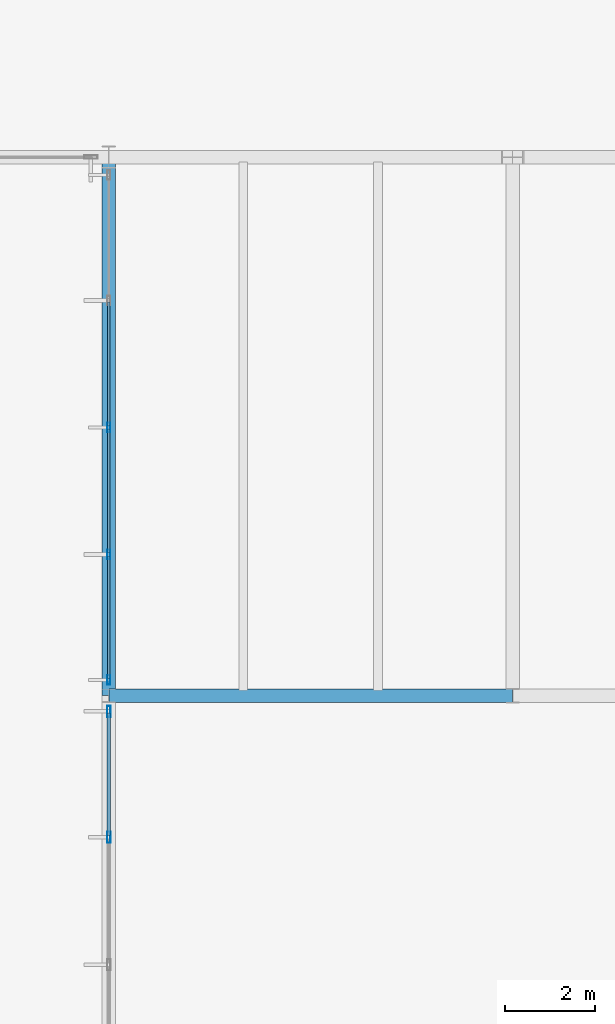
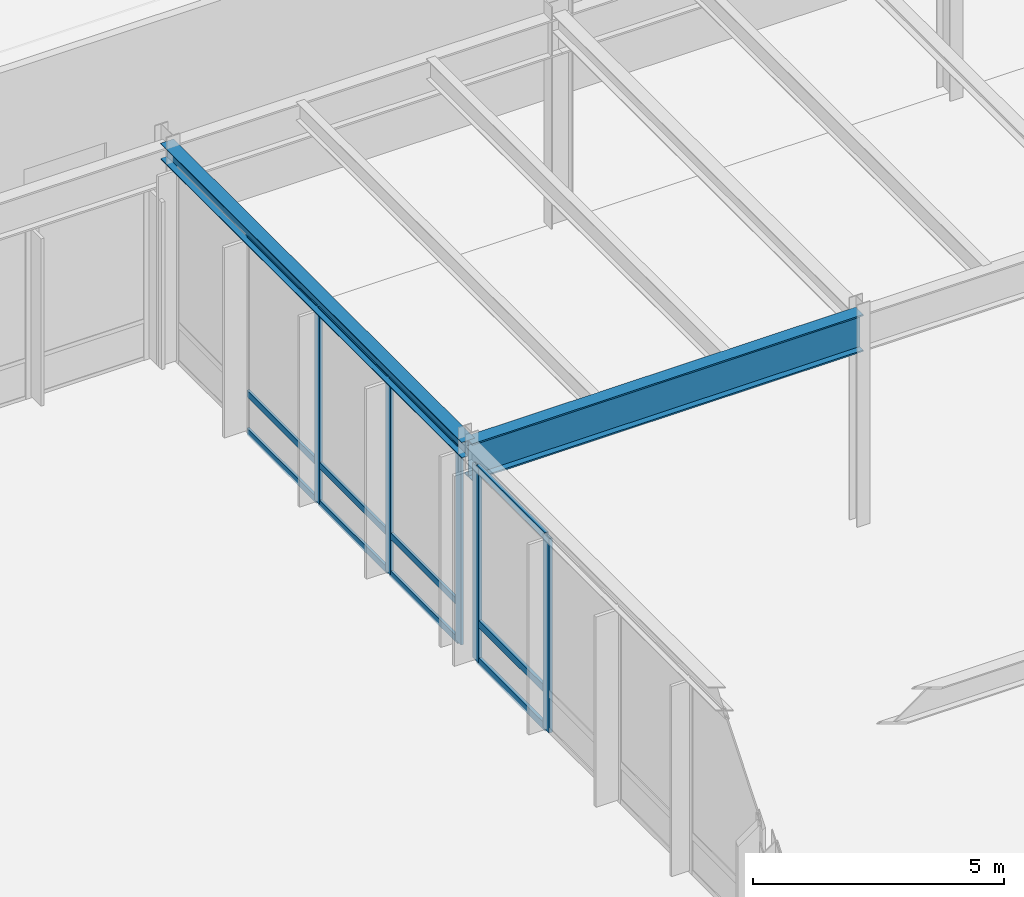
# One storey, part 59 of 143: 17 members, 2 beams, 2 elements without a shape of their own.
"""IFC4 building model written with IfcOpenShell, lengths in metres."""

from ifc_helpers import new_model, si_unit, direction, frame, origin, origin_2d, place, context, subcontext, project, spatial, hollow_rectangle, i_section, extrude, material, layer, layer_set, material_profile, profile_set, type_object, element, aggregate, save


model = new_model("IFC4")

# Units and contexts
model_context = context("Model", 3, precision=1e-05, world=origin(), true_north=direction((0.0, 1.0)))
body_context = subcontext(model_context, "Body", "Model", "MODEL_VIEW")
ifc_project = project(units=[si_unit("LENGTHUNIT", "METRE"), si_unit("AREAUNIT", "SQUARE_METRE"), si_unit("VOLUMEUNIT", "CUBIC_METRE"), si_unit("PLANEANGLEUNIT", "RADIAN"), si_unit("MASSUNIT", "GRAM", prefix="KILO")], contexts=[model_context])

# Site, building, storey
site_placement = place(None, origin())
site = spatial("IfcSite", under=ifc_project, at=site_placement, CompositionType="ELEMENT")
building_placement = place(site_placement, origin())
building = spatial("IfcBuilding", under=site, at=building_placement, Name="Montelvaro Courts of Justice", CompositionType="ELEMENT")
storey_placement = place(building_placement, origin())
storey = spatial("IfcBuildingStorey", under=building, at=storey_placement, Name="L00", CompositionType="ELEMENT", Elevation=0.0)

# Beams
ifc_material_1 = material(Name="Steel S355", Category="steel")
ifc_material_profile_1 = material_profile(ifc_material_1, i_section(OverallWidth=0.300048828125, OverallDepth=0.389892578125, WebThickness=0.010986328125, FlangeThickness=0.01904296875, at=origin_2d()), Name="HEA 400")
ifc_profile_set_1 = profile_set([ifc_material_profile_1], Name="Steel S355")
beam_type_1 = type_object("IfcBeamType", Name="Beam_HEA400", PredefinedType="USERDEFINED", material=ifc_profile_set_1)
beam_1_placement = place(storey_placement, frame((54.0, 66.0, 4.925048828125), z_axis=(0.0, 1.0, 0.0), x_axis=(-1.0, 0.0, 0.0)))
element("IfcBeam", 1, at=beam_1_placement, inside=storey, type_object=beam_type_1, Name="Beam B-17 L00", ObjectType="GIRDER", PredefinedType="USERDEFINED", context=body_context, shape_type="SweptSolid", body=[
    extrude(i_section(OverallWidth=0.300048828125, OverallDepth=0.389892578125, WebThickness=0.010986328125, FlangeThickness=0.01904296875, at=origin_2d()), origin(), (0.0, 0.0, 1.0), 12.0),
])
ifc_material_profile_2 = material_profile(ifc_material_1, i_section(OverallWidth=0.300048828125, OverallDepth=0.89990234375, WebThickness=0.0185546875, FlangeThickness=0.034912109375, at=origin_2d()), Name="HEB 900")
ifc_profile_set_2 = profile_set([ifc_material_profile_2], Name="Steel S355")
beam_type_2 = type_object("IfcBeamType", Name="Beam_HEB900", PredefinedType="USERDEFINED", material=ifc_profile_set_2)
beam_2_placement = place(storey_placement, frame((54.0, 66.0, 4.669921875), z_axis=(1.0, 0.0, 0.0), x_axis=(0.0, 1.0, 0.0)))
element("IfcBeam", 2, at=beam_2_placement, inside=storey, type_object=beam_type_2, Name="Beam B-30 L00", ObjectType="GIRDER", PredefinedType="USERDEFINED", context=body_context, shape_type="SweptSolid", body=[
    extrude(i_section(OverallWidth=0.300048828125, OverallDepth=0.89990234375, WebThickness=0.0185546875, FlangeThickness=0.034912109375, at=origin_2d()), origin(), (0.0, 0.0, 1.0), 9.0),
])

# Curtain wall, members
ifc_material_2 = material(Name="Anodised aluminium EN AW-6063", Category="aluminium")
ifc_layer_1 = layer(ifc_material_2, 0.159912109375)
ifc_layer_set_1 = layer_set([ifc_layer_1], Name="Anodised aluminium EN AW-6063")
curtain_wall_type_1 = type_object("IfcCurtainWallType", Name="CurtainWall_03_1132x508", PredefinedType="USERDEFINED", material=ifc_layer_set_1)
curtain_wall_1_placement = place(storey_placement, origin())
curtain_wall_1 = element("IfcCurtainWall", 3, at=curtain_wall_1_placement, inside=storey, type_object=curtain_wall_type_1, Name="Curtain Wall CW-03 (L00)", ObjectType="CURTAIN WALL", PredefinedType="USERDEFINED")
ifc_material_profile_3 = material_profile(ifc_material_2, hollow_rectangle(XDim=0.06494140625, YDim=0.2099609375, WallThickness=0.0048828125, at=origin_2d()), Name="ALU-M 65x210")
ifc_profile_set_3 = profile_set([ifc_material_profile_3], Name="Anodised aluminium EN AW-6063")
member_type_1 = type_object("IfcMemberType", Name="CurtainWall_Mullion_65x210", PredefinedType="MULLION", material=ifc_profile_set_3)
member_1_placement = place(storey_placement, frame((54.0, 71.97509765625, 0.0), z_axis=(0.0, 0.0, 1.0), x_axis=(1.0, 0.0, 0.0)))
member_1 = element("IfcMember", 4, at=member_1_placement, type_object=member_type_1, Name="CW-03 mullion 3", PredefinedType="MULLION", context=body_context, shape_type="SweptSolid", body=[
    extrude(hollow_rectangle(XDim=0.06494140625, YDim=0.2099609375, WallThickness=0.0048828125, at=origin_2d()), origin(), (0.0, 0.0, 1.0), 4.72509765625),
])
member_2_placement = place(storey_placement, frame((54.0, 69.14501953125, 0.0), z_axis=(0.0, 0.0, 1.0), x_axis=(1.0, 0.0, 0.0)))
member_2 = element("IfcMember", 5, at=member_2_placement, type_object=member_type_1, Name="CW-03 mullion 4", PredefinedType="MULLION", context=body_context, shape_type="SweptSolid", body=[
    extrude(hollow_rectangle(XDim=0.06494140625, YDim=0.2099609375, WallThickness=0.0048828125, at=origin_2d()), origin(), (0.0, 0.0, 1.0), 4.72509765625),
])
member_3_placement = place(storey_placement, frame((54.0, 66.347412109375, 0.0), z_axis=(0.0, 0.0, 1.0), x_axis=(1.0, 0.0, 0.0)))
member_3 = element("IfcMember", 6, at=member_3_placement, type_object=member_type_1, Name="CW-03 mullion 5", PredefinedType="MULLION", context=body_context, shape_type="SweptSolid", body=[
    extrude(hollow_rectangle(XDim=0.06494140625, YDim=0.2099609375, WallThickness=0.0048828125, at=origin_2d()), origin(), (0.0, 0.0, 1.0), 4.72509765625),
])

ifc_layer_2 = layer(ifc_material_2, 0.159912109375)
ifc_layer_set_2 = layer_set([ifc_layer_2], Name="Anodised aluminium EN AW-6063")
curtain_wall_type_2 = type_object("IfcCurtainWallType", Name="CurtainWall_08_1137x508", PredefinedType="USERDEFINED", material=ifc_layer_set_2)
curtain_wall_2_placement = place(storey_placement, origin())
curtain_wall_2 = element("IfcCurtainWall", 7, at=curtain_wall_2_placement, inside=storey, type_object=curtain_wall_type_2, Name="Curtain Wall CW-08 (L00)", ObjectType="CURTAIN WALL", PredefinedType="USERDEFINED")
ifc_material_profile_4 = material_profile(ifc_material_2, hollow_rectangle(XDim=0.074951171875, YDim=0.25, WallThickness=0.005615234375, at=origin_2d()), Name="ALU-M 75x250")
ifc_profile_set_4 = profile_set([ifc_material_profile_4], Name="Anodised aluminium EN AW-6063")
member_type_2 = type_object("IfcMemberType", Name="CurtainWall_Mullion_75x250", PredefinedType="MULLION", material=ifc_profile_set_4)
member_4_placement = place(storey_placement, frame((54.0, 65.6474609375, 0.0), z_axis=(0.0, 0.0, 1.0), x_axis=(1.0, 0.0, 0.0)))
member_4 = element("IfcMember", 8, at=member_4_placement, type_object=member_type_2, Name="CW-08 mullion 1", PredefinedType="MULLION", context=body_context, shape_type="SweptSolid", body=[
    extrude(hollow_rectangle(XDim=0.074951171875, YDim=0.25, WallThickness=0.005615234375, at=origin_2d()), origin(), (0.0, 0.0, 1.0), 4.72509765625),
])
member_5_placement = place(storey_placement, frame((54.0, 62.842529296875, 0.0), z_axis=(0.0, 0.0, 1.0), x_axis=(1.0, 0.0, 0.0)))
member_5 = element("IfcMember", 9, at=member_5_placement, type_object=member_type_2, Name="CW-08 mullion 2", PredefinedType="MULLION", context=body_context, shape_type="SweptSolid", body=[
    extrude(hollow_rectangle(XDim=0.074951171875, YDim=0.25, WallThickness=0.005615234375, at=origin_2d()), origin(), (0.0, 0.0, 1.0), 4.72509765625),
])

# Member
ifc_material_profile_5 = material_profile(ifc_material_2, hollow_rectangle(XDim=0.06005859375, YDim=0.159912109375, WallThickness=0.00439453125, at=origin_2d()), Name="ALU-T 60x160")
ifc_profile_set_5 = profile_set([ifc_material_profile_5], Name="Anodised aluminium EN AW-6063")
member_type_3 = type_object("IfcMemberType", Name="CurtainWall_Transom_60x160", PredefinedType="USERDEFINED", material=ifc_profile_set_5)
member_6_placement = place(storey_placement, frame((54.0, 74.7724609375, 0.030029296875), z_axis=(0.0, -1.0, 0.0), x_axis=(1.0, 0.0, 0.0)))
member_6 = element("IfcMember", 10, at=member_6_placement, type_object=member_type_3, Name="CW-03 transom 2.1", ObjectType="TRANSOM", PredefinedType="USERDEFINED", context=body_context, shape_type="SweptSolid", body=[
    extrude(hollow_rectangle(XDim=0.06005859375, YDim=0.159912109375, WallThickness=0.00439453125, at=origin_2d()), origin(), (0.0, 0.0, 1.0), 2.764892578125),
])

member_7_placement = place(storey_placement, frame((54.0, 74.7724609375, 0.949951171875), z_axis=(0.0, -1.0, 0.0), x_axis=(1.0, 0.0, 0.0)))
member_7 = element("IfcMember", 11, at=member_7_placement, type_object=member_type_3, Name="CW-03 transom 2.2", ObjectType="TRANSOM", PredefinedType="USERDEFINED", context=body_context, shape_type="SweptSolid", body=[
    extrude(hollow_rectangle(XDim=0.06005859375, YDim=0.159912109375, WallThickness=0.00439453125, at=origin_2d()), origin(), (0.0, 0.0, 1.0), 2.764892578125),
])

member_8_placement = place(storey_placement, frame((54.0, 74.7724609375, 4.695068359375), z_axis=(0.0, -1.0, 0.0), x_axis=(1.0, 0.0, 0.0)))
member_8 = element("IfcMember", 12, at=member_8_placement, type_object=member_type_3, Name="CW-03 transom 2.3", ObjectType="TRANSOM", PredefinedType="USERDEFINED", context=body_context, shape_type="SweptSolid", body=[
    extrude(hollow_rectangle(XDim=0.06005859375, YDim=0.159912109375, WallThickness=0.00439453125, at=origin_2d()), origin(), (0.0, 0.0, 1.0), 2.764892578125),
])

member_9_placement = place(storey_placement, frame((54.0, 71.9423828125, 0.030029296875), z_axis=(0.0, -1.0, 0.0), x_axis=(1.0, 0.0, 0.0)))
member_9 = element("IfcMember", 13, at=member_9_placement, type_object=member_type_3, Name="CW-03 transom 3.1", ObjectType="TRANSOM", PredefinedType="USERDEFINED", context=body_context, shape_type="SweptSolid", body=[
    extrude(hollow_rectangle(XDim=0.06005859375, YDim=0.159912109375, WallThickness=0.00439453125, at=origin_2d()), origin(), (0.0, 0.0, 1.0), 2.764892578125),
])

member_10_placement = place(storey_placement, frame((54.0, 71.9423828125, 0.949951171875), z_axis=(0.0, -1.0, 0.0), x_axis=(1.0, 0.0, 0.0)))
member_10 = element("IfcMember", 14, at=member_10_placement, type_object=member_type_3, Name="CW-03 transom 3.2", ObjectType="TRANSOM", PredefinedType="USERDEFINED", context=body_context, shape_type="SweptSolid", body=[
    extrude(hollow_rectangle(XDim=0.06005859375, YDim=0.159912109375, WallThickness=0.00439453125, at=origin_2d()), origin(), (0.0, 0.0, 1.0), 2.764892578125),
])

member_11_placement = place(storey_placement, frame((54.0, 71.9423828125, 4.695068359375), z_axis=(0.0, -1.0, 0.0), x_axis=(1.0, 0.0, 0.0)))
member_11 = element("IfcMember", 15, at=member_11_placement, type_object=member_type_3, Name="CW-03 transom 3.3", ObjectType="TRANSOM", PredefinedType="USERDEFINED", context=body_context, shape_type="SweptSolid", body=[
    extrude(hollow_rectangle(XDim=0.06005859375, YDim=0.159912109375, WallThickness=0.00439453125, at=origin_2d()), origin(), (0.0, 0.0, 1.0), 2.764892578125),
])

member_12_placement = place(storey_placement, frame((54.0, 69.112548828125, 0.030029296875), z_axis=(0.0, -1.0, 0.0), x_axis=(1.0, 0.0, 0.0)))
member_12 = element("IfcMember", 16, at=member_12_placement, type_object=member_type_3, Name="CW-03 transom 4.1", ObjectType="TRANSOM", PredefinedType="USERDEFINED", context=body_context, shape_type="SweptSolid", body=[
    extrude(hollow_rectangle(XDim=0.06005859375, YDim=0.159912109375, WallThickness=0.00439453125, at=origin_2d()), origin(), (0.0, 0.0, 1.0), 2.732666015625),
])

member_13_placement = place(storey_placement, frame((54.0, 69.112548828125, 0.949951171875), z_axis=(0.0, -1.0, 0.0), x_axis=(1.0, 0.0, 0.0)))
member_13 = element("IfcMember", 17, at=member_13_placement, type_object=member_type_3, Name="CW-03 transom 4.2", ObjectType="TRANSOM", PredefinedType="USERDEFINED", context=body_context, shape_type="SweptSolid", body=[
    extrude(hollow_rectangle(XDim=0.06005859375, YDim=0.159912109375, WallThickness=0.00439453125, at=origin_2d()), origin(), (0.0, 0.0, 1.0), 2.732666015625),
])

member_14_placement = place(storey_placement, frame((54.0, 69.112548828125, 4.695068359375), z_axis=(0.0, -1.0, 0.0), x_axis=(1.0, 0.0, 0.0)))
member_14 = element("IfcMember", 18, at=member_14_placement, type_object=member_type_3, Name="CW-03 transom 4.3", ObjectType="TRANSOM", PredefinedType="USERDEFINED", context=body_context, shape_type="SweptSolid", body=[
    extrude(hollow_rectangle(XDim=0.06005859375, YDim=0.159912109375, WallThickness=0.00439453125, at=origin_2d()), origin(), (0.0, 0.0, 1.0), 2.732666015625),
])

aggregate(curtain_wall_1, [member_1, member_2, member_3, member_6, member_7, member_8, member_9, member_10, member_11, member_12, member_13, member_14])

ifc_material_profile_6 = material_profile(ifc_material_2, hollow_rectangle(XDim=0.074951171875, YDim=0.179931640625, WallThickness=0.0048828125, at=origin_2d()), Name="ALU-T 75x180")
ifc_profile_set_6 = profile_set([ifc_material_profile_6], Name="Anodised aluminium EN AW-6063")
member_type_4 = type_object("IfcMemberType", Name="CurtainWall_Transom_75x180", PredefinedType="USERDEFINED", material=ifc_profile_set_6)
member_15_placement = place(storey_placement, frame((54.0, 65.610107421875, 0.03759765625), z_axis=(0.0, -1.0, 0.0), x_axis=(1.0, 0.0, 0.0)))
member_15 = element("IfcMember", 19, at=member_15_placement, type_object=member_type_4, Name="CW-08 transom 1.1", ObjectType="TRANSOM", PredefinedType="USERDEFINED", context=body_context, shape_type="SweptSolid", body=[
    extrude(hollow_rectangle(XDim=0.074951171875, YDim=0.179931640625, WallThickness=0.0048828125, at=origin_2d()), origin(), (0.0, 0.0, 1.0), 2.730224609375),
])

member_16_placement = place(storey_placement, frame((54.0, 65.610107421875, 0.949951171875), z_axis=(0.0, -1.0, 0.0), x_axis=(1.0, 0.0, 0.0)))
member_16 = element("IfcMember", 20, at=member_16_placement, type_object=member_type_4, Name="CW-08 transom 1.2", ObjectType="TRANSOM", PredefinedType="USERDEFINED", context=body_context, shape_type="SweptSolid", body=[
    extrude(hollow_rectangle(XDim=0.074951171875, YDim=0.179931640625, WallThickness=0.0048828125, at=origin_2d()), origin(), (0.0, 0.0, 1.0), 2.730224609375),
])

member_17_placement = place(storey_placement, frame((54.0, 65.610107421875, 4.6875), z_axis=(0.0, -1.0, 0.0), x_axis=(1.0, 0.0, 0.0)))
member_17 = element("IfcMember", 21, at=member_17_placement, type_object=member_type_4, Name="CW-08 transom 1.3", ObjectType="TRANSOM", PredefinedType="USERDEFINED", context=body_context, shape_type="SweptSolid", body=[
    extrude(hollow_rectangle(XDim=0.074951171875, YDim=0.179931640625, WallThickness=0.0048828125, at=origin_2d()), origin(), (0.0, 0.0, 1.0), 2.730224609375),
])

aggregate(curtain_wall_2, [member_4, member_5, member_15, member_16, member_17])

save(model, "model.ifc")
